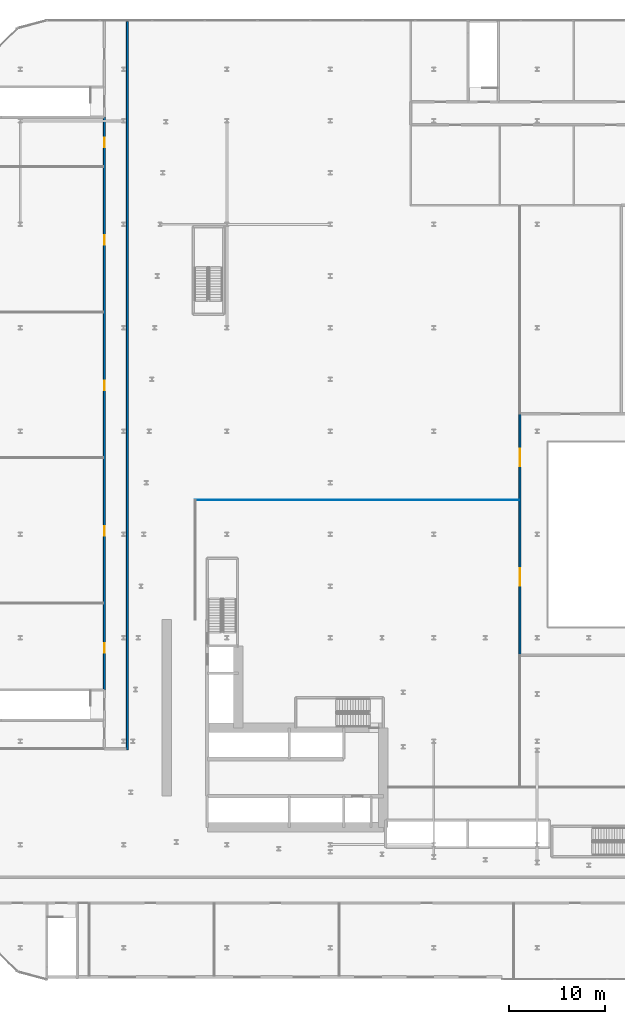
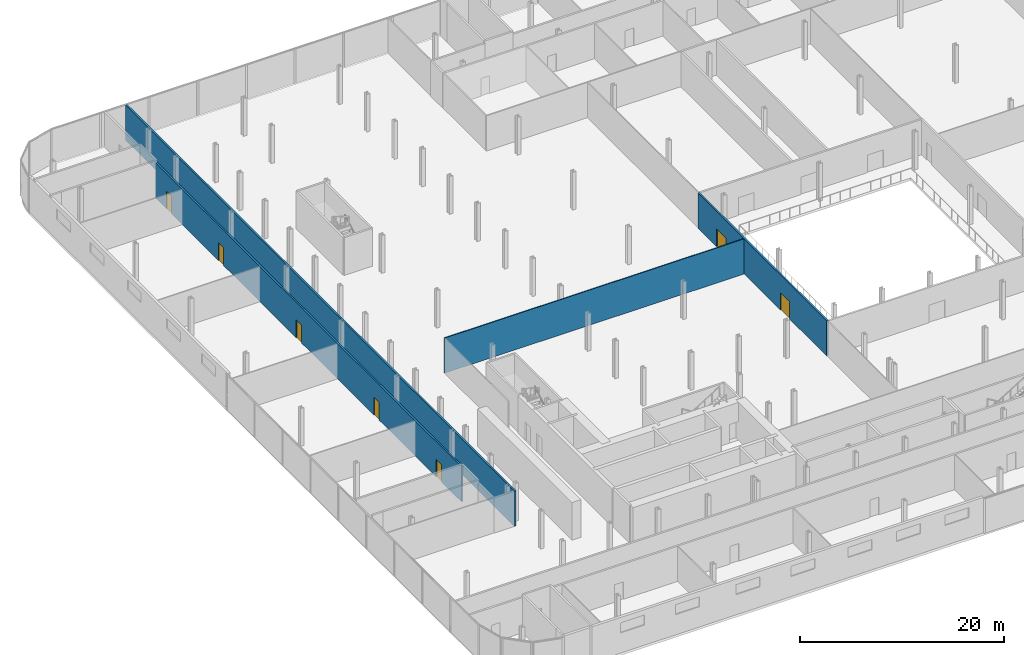
# One storey, part 31 of 43: 7 doors, 4 walls, 7 openings.
"""IFC4 building model written with IfcOpenShell, lengths in metres."""

from ifc_helpers import new_model, si_unit, direction, frame, frame_2d, origin, place, context, subcontext, project, spatial, rectangle, extrude, source, transform, mapped, material, layer, layer_set, type_object, element, fill, save


model = new_model("IFC4")

# Units and contexts
model_context = context("Model", 3, precision=1e-05, world=origin(), true_north=direction((0.0, 1.0)))
body_context = subcontext(model_context, "Body", "Model", "MODEL_VIEW")
ifc_project = project(units=[si_unit("LENGTHUNIT", "METRE"), si_unit("AREAUNIT", "SQUARE_METRE"), si_unit("VOLUMEUNIT", "CUBIC_METRE"), si_unit("PLANEANGLEUNIT", "RADIAN"), si_unit("MASSUNIT", "GRAM", prefix="KILO")], contexts=[model_context])

# Site, building, storey
site_placement = place(None, origin())
site = spatial("IfcSite", under=ifc_project, at=site_placement, CompositionType="ELEMENT")
building_placement = place(site_placement, origin())
building = spatial("IfcBuilding", under=site, at=building_placement, Name="Kheshtan School and Residences Tower", CompositionType="ELEMENT")
storey_placement = place(building_placement, frame((0.0, 0.0, 26.0)))
storey = spatial("IfcBuildingStorey", under=building, at=storey_placement, Name="L05", CompositionType="ELEMENT", Elevation=26.0)

# Wall, openings, doors
ifc_material_1 = material(Name="Gypsum board on steel studs with fire boards", Category="steel")
ifc_layer_1 = layer(ifc_material_1, 0.199951171875)
ifc_layer_set_1 = layer_set([ifc_layer_1], Name="Corridor wall 200")
wall_type_1 = type_object("IfcWallType", Name="Corridor wall 200", PredefinedType="PARTITIONING", material=ifc_layer_set_1)
wall_1_placement = place(storey_placement, frame((24.0, 40.14990234375, 0.0), z_axis=(0.0, 0.0, 1.0), x_axis=(0.0, 1.0, 0.0)))
wall_1 = element("IfcWall", 1, at=wall_1_placement, inside=storey, type_object=wall_type_1, Name="Partition L05-012", PredefinedType="PARTITIONING", context=body_context, shape_type="SweptSolid", body=[
    extrude(rectangle(XDim=59.85009765625, YDim=0.199951171875, at=frame_2d((29.925048828125, 0.0))), origin(), (0.0, 0.0, 1.0), 4.199951171875),
])
opening_1_placement = place(wall_1_placement, frame((3.89990234375, 0.0, 0.0)))
opening_1 = element("IfcOpeningElement", 2, at=opening_1_placement, cuts=wall_1, Name="Opening D05-053", PredefinedType="OPENING", context=body_context, shape_type="SweptSolid", body=[
    extrude(rectangle(XDim=1.0, YDim=2.10009765625, at=frame_2d((0.5, 1.050048828125))), frame((0.0, 0.10986328125, 0.0), z_axis=(0.0, -1.0, 0.0), x_axis=(1.0, 0.0, 0.0)), (0.0, 0.0, 1.0), 0.219970703125),
])
opening_2_placement = place(wall_1_placement, frame((16.10009765625, 0.0, 0.0)))
opening_2 = element("IfcOpeningElement", 3, at=opening_2_placement, cuts=wall_1, Name="Opening D05-054", PredefinedType="OPENING", context=body_context, shape_type="SweptSolid", body=[
    extrude(rectangle(XDim=1.0, YDim=2.10009765625, at=frame_2d((0.5, 1.050048828125))), frame((0.0, 0.10986328125, 0.0), z_axis=(0.0, -1.0, 0.0), x_axis=(1.0, 0.0, 0.0)), (0.0, 0.0, 1.0), 0.219970703125),
])
opening_3_placement = place(wall_1_placement, frame((31.300048828125, 0.0, 0.0)))
opening_3 = element("IfcOpeningElement", 4, at=opening_3_placement, cuts=wall_1, Name="Opening D05-055", PredefinedType="OPENING", context=body_context, shape_type="SweptSolid", body=[
    extrude(rectangle(XDim=1.0, YDim=2.10009765625, at=frame_2d((0.5, 1.050048828125))), frame((0.0, 0.10986328125, 0.0), z_axis=(0.0, -1.0, 0.0), x_axis=(1.0, 0.0, 0.0)), (0.0, 0.0, 1.0), 0.219970703125),
])
opening_4_placement = place(wall_1_placement, frame((46.5, 0.0, 0.0)))
opening_4 = element("IfcOpeningElement", 5, at=opening_4_placement, cuts=wall_1, Name="Opening D05-056", PredefinedType="OPENING", context=body_context, shape_type="SweptSolid", body=[
    extrude(rectangle(XDim=1.0, YDim=2.10009765625, at=frame_2d((0.5, 1.050048828125))), frame((0.0, 0.10986328125, 0.0), z_axis=(0.0, -1.0, 0.0), x_axis=(1.0, 0.0, 0.0)), (0.0, 0.0, 1.0), 0.219970703125),
])
opening_5_placement = place(wall_1_placement, frame((56.699951171875, 0.0, 0.0)))
opening_5 = element("IfcOpeningElement", 6, at=opening_5_placement, cuts=wall_1, Name="Opening D05-057", PredefinedType="OPENING", context=body_context, shape_type="SweptSolid", body=[
    extrude(rectangle(XDim=1.0, YDim=2.10009765625, at=frame_2d((0.5, 1.050048828125))), frame((0.0, 0.10986328125, 0.0), z_axis=(0.0, -1.0, 0.0), x_axis=(1.0, 0.0, 0.0)), (0.0, 0.0, 1.0), 0.219970703125),
])
ifc_material_2 = material(Name="Steel-framed fire-resisting door leaf", Category="steel")
door_type_1 = type_object("IfcDoorType", Name="Fire door FD60 1000 x 2100", OperationType="SINGLE_SWING_LEFT", PredefinedType="DOOR", material=ifc_material_2)
shared_shape_1 = source(origin(), body_context, "Body", "SweptSolid", [
    extrude(rectangle(XDim=1.0, YDim=2.10009765625, at=frame_2d((0.5, 1.050048828125))), frame((0.0, 0.02490234375, 0.0), z_axis=(0.0, -1.0, 0.0), x_axis=(1.0, 0.0, 0.0)), (0.0, 0.0, 1.0), 0.050048828125),
])
door_1_placement = place(opening_1_placement, origin())
door_1 = element("IfcDoor", 7, at=door_1_placement, inside=storey, type_object=door_type_1, Name="Door D05-053", OperationType="SINGLE_SWING_LEFT", OverallHeight=2.10009765625, OverallWidth=1.0, PredefinedType="DOOR", context=body_context, shape_type="MappedRepresentation", body=[
    mapped(shared_shape_1, transform((0.0, 0.0, 0.0), x_axis=(1.0, 0.0, 0.0), y_axis=(0.0, 1.0, 0.0), z_axis=(0.0, 0.0, 1.0), scale=1.0)),
])
fill(opening_1, door_1)
door_2_placement = place(opening_2_placement, origin())
door_2 = element("IfcDoor", 8, at=door_2_placement, inside=storey, type_object=door_type_1, Name="Door D05-054", OperationType="SINGLE_SWING_LEFT", OverallHeight=2.10009765625, OverallWidth=1.0, PredefinedType="DOOR", context=body_context, shape_type="MappedRepresentation", body=[
    mapped(shared_shape_1, transform((0.0, 0.0, 0.0), x_axis=(1.0, 0.0, 0.0), y_axis=(0.0, 1.0, 0.0), z_axis=(0.0, 0.0, 1.0), scale=1.0)),
])
fill(opening_2, door_2)
door_3_placement = place(opening_3_placement, origin())
door_3 = element("IfcDoor", 9, at=door_3_placement, inside=storey, type_object=door_type_1, Name="Door D05-055", OperationType="SINGLE_SWING_LEFT", OverallHeight=2.10009765625, OverallWidth=1.0, PredefinedType="DOOR", context=body_context, shape_type="MappedRepresentation", body=[
    mapped(shared_shape_1, transform((0.0, 0.0, 0.0), x_axis=(1.0, 0.0, 0.0), y_axis=(0.0, 1.0, 0.0), z_axis=(0.0, 0.0, 1.0), scale=1.0)),
])
fill(opening_3, door_3)
door_4_placement = place(opening_4_placement, origin())
door_4 = element("IfcDoor", 10, at=door_4_placement, inside=storey, type_object=door_type_1, Name="Door D05-056", OperationType="SINGLE_SWING_LEFT", OverallHeight=2.10009765625, OverallWidth=1.0, PredefinedType="DOOR", context=body_context, shape_type="MappedRepresentation", body=[
    mapped(shared_shape_1, transform((0.0, 0.0, 0.0), x_axis=(1.0, 0.0, 0.0), y_axis=(0.0, 1.0, 0.0), z_axis=(0.0, 0.0, 1.0), scale=1.0)),
])
fill(opening_4, door_4)
door_5_placement = place(opening_5_placement, origin())
door_5 = element("IfcDoor", 11, at=door_5_placement, inside=storey, type_object=door_type_1, Name="Door D05-057", OperationType="SINGLE_SWING_LEFT", OverallHeight=2.10009765625, OverallWidth=1.0, PredefinedType="DOOR", context=body_context, shape_type="MappedRepresentation", body=[
    mapped(shared_shape_1, transform((0.0, 0.0, 0.0), x_axis=(1.0, 0.0, 0.0), y_axis=(0.0, 1.0, 0.0), z_axis=(0.0, 0.0, 1.0), scale=1.0)),
])
fill(opening_5, door_5)

# Wall
wall_2_placement = place(storey_placement, frame((26.39990234375, 33.89990234375, 0.0), z_axis=(0.0, 0.0, 1.0), x_axis=(0.0, 1.0, 0.0)))
element("IfcWall", 12, at=wall_2_placement, inside=storey, type_object=wall_type_1, Name="Partition L05-014", PredefinedType="PARTITIONING", context=body_context, shape_type="SweptSolid", body=[
    extrude(rectangle(XDim=76.10009765625, YDim=0.199951171875, at=frame_2d((38.050048828125, 0.0))), origin(), (0.0, 0.0, 1.0), 4.199951171875),
])

# Wall, openings, doors
wall_3_placement = place(storey_placement, frame((67.39990234375, 43.800048828125, 0.0), z_axis=(0.0, 0.0, 1.0), x_axis=(0.0, 1.0, 0.0)))
wall_3 = element("IfcWall", 13, at=wall_3_placement, inside=storey, type_object=wall_type_1, Name="Partition L05-030", PredefinedType="PARTITIONING", context=body_context, shape_type="SweptSolid", body=[
    extrude(rectangle(XDim=25.199951171875, YDim=0.199951171875, at=frame_2d((12.60009765625, 0.0))), origin(), (0.0, 0.0, 1.0), 4.199951171875),
])
opening_6_placement = place(wall_3_placement, frame((7.25, 0.0, 0.0)))
opening_6 = element("IfcOpeningElement", 14, at=opening_6_placement, cuts=wall_3, Name="Opening D05-059", PredefinedType="OPENING", context=body_context, shape_type="SweptSolid", body=[
    extrude(rectangle(XDim=1.800048828125, YDim=2.10009765625, at=frame_2d((0.89990234375, 1.050048828125))), frame((0.0, 0.10986328125, 0.0), z_axis=(0.0, -1.0, 0.0), x_axis=(1.0, 0.0, 0.0)), (0.0, 0.0, 1.0), 0.219970703125),
])
opening_7_placement = place(wall_3_placement, frame((19.75, 0.0, 0.0)))
opening_7 = element("IfcOpeningElement", 15, at=opening_7_placement, cuts=wall_3, Name="Opening D05-060", PredefinedType="OPENING", context=body_context, shape_type="SweptSolid", body=[
    extrude(rectangle(XDim=1.800048828125, YDim=2.10009765625, at=frame_2d((0.89990234375, 1.050048828125))), frame((0.0, 0.10986328125, 0.0), z_axis=(0.0, -1.0, 0.0), x_axis=(1.0, 0.0, 0.0)), (0.0, 0.0, 1.0), 0.219970703125),
])
door_type_2 = type_object("IfcDoorType", Name="Fire double door FD60 1800 x 2100", OperationType="DOUBLE_DOOR_SINGLE_SWING", PredefinedType="DOOR", material=ifc_material_2)
shared_shape_2 = source(origin(), body_context, "Body", "SweptSolid", [
    extrude(rectangle(XDim=1.800048828125, YDim=2.10009765625, at=frame_2d((0.89990234375, 1.050048828125))), frame((0.0, 0.02490234375, 0.0), z_axis=(0.0, -1.0, 0.0), x_axis=(1.0, 0.0, 0.0)), (0.0, 0.0, 1.0), 0.050048828125),
])
door_6_placement = place(opening_6_placement, origin())
door_6 = element("IfcDoor", 16, at=door_6_placement, inside=storey, type_object=door_type_2, Name="Door D05-059", OperationType="DOUBLE_DOOR_SINGLE_SWING", OverallHeight=2.10009765625, OverallWidth=1.800048828125, PredefinedType="DOOR", context=body_context, shape_type="MappedRepresentation", body=[
    mapped(shared_shape_2, transform((0.0, 0.0, 0.0), x_axis=(1.0, 0.0, 0.0), y_axis=(0.0, 1.0, 0.0), z_axis=(0.0, 0.0, 1.0), scale=1.0)),
])
fill(opening_6, door_6)
door_7_placement = place(opening_7_placement, origin())
door_7 = element("IfcDoor", 17, at=door_7_placement, inside=storey, type_object=door_type_2, Name="Door D05-060", OperationType="DOUBLE_DOOR_SINGLE_SWING", OverallHeight=2.10009765625, OverallWidth=1.800048828125, PredefinedType="DOOR", context=body_context, shape_type="MappedRepresentation", body=[
    mapped(shared_shape_2, transform((0.0, 0.0, 0.0), x_axis=(1.0, 0.0, 0.0), y_axis=(0.0, 1.0, 0.0), z_axis=(0.0, 0.0, 1.0), scale=1.0)),
])
fill(opening_7, door_7)

# Wall
ifc_material_3 = material(Name="Gypsum board on steel studs", Category="steel")
ifc_layer_2 = layer(ifc_material_3, 0.10009765625)
ifc_layer_set_2 = layer_set([ifc_layer_2], Name="Gypsum partition 100")
wall_type_2 = type_object("IfcWallType", Name="Gypsum partition 100", PredefinedType="PARTITIONING", material=ifc_layer_set_2)
wall_4_placement = place(storey_placement, frame((33.449951171875, 60.0, 0.0), z_axis=(0.0, 0.0, 1.0), x_axis=(1.0, 0.0, 0.0)))
element("IfcWall", 18, at=wall_4_placement, inside=storey, type_object=wall_type_2, Name="Partition L05-015", PredefinedType="PARTITIONING", context=body_context, shape_type="SweptSolid", body=[
    extrude(rectangle(XDim=33.85009765625, YDim=0.10009765625, at=frame_2d((16.925048828125, 0.0))), origin(), (0.0, 0.0, 1.0), 4.199951171875),
])

save(model, "model.ifc")
